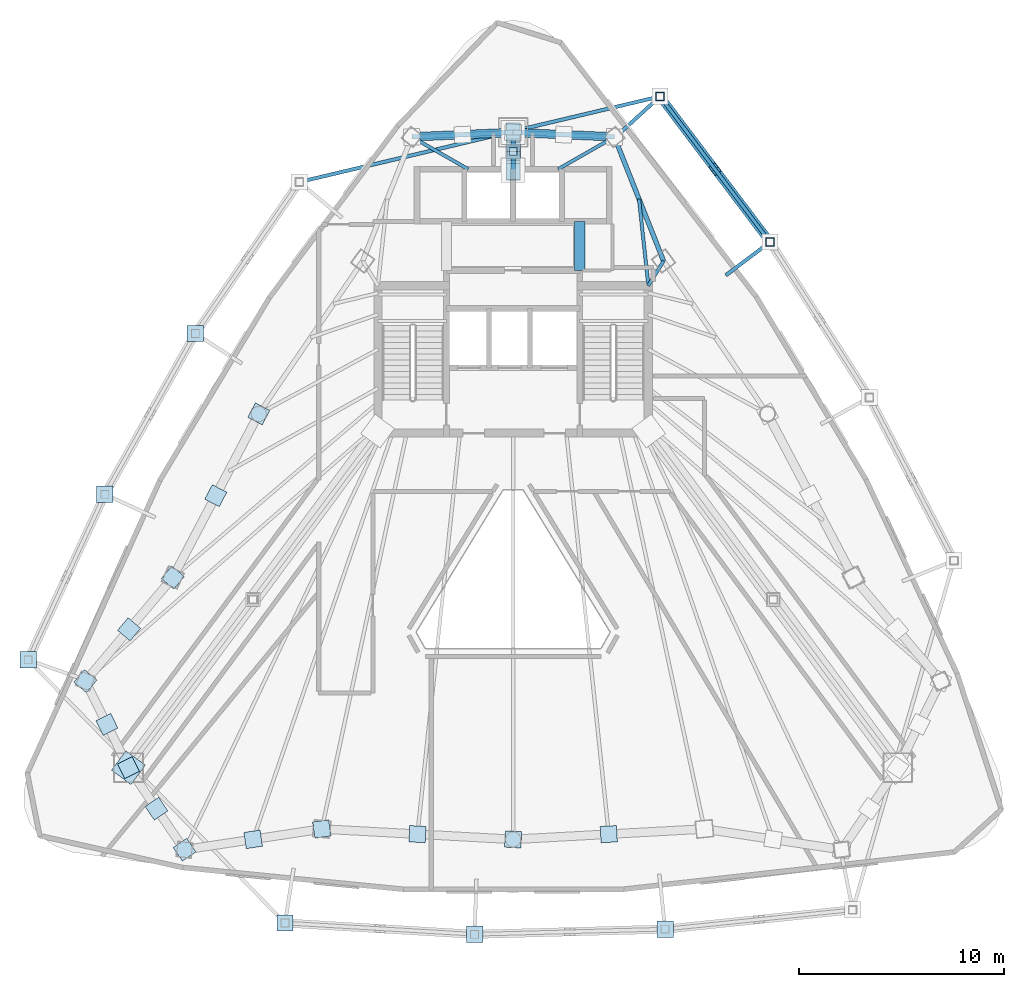
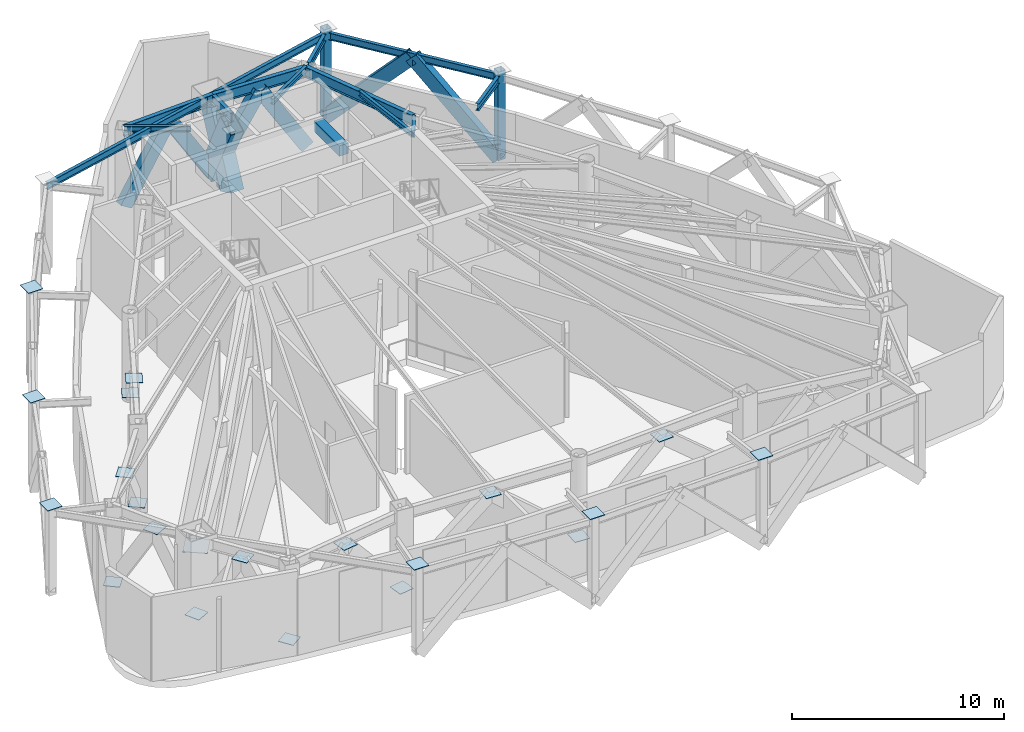
# One storey, part 4 of 10: 21 plates, 13 beams, 11 members.
"""IFC4 building model written with IfcOpenShell, lengths in metres."""

from ifc_helpers import new_model, si_unit, direction, frame, origin, origin_2d, place, context, subcontext, project, spatial, rectangle, hollow_rectangle, i_section, extrude, material, layer, layer_set, material_profile, profile_set, type_object, element, save


model = new_model("IFC4")

# Units and contexts
model_context = context("Model", 3, precision=1e-05, world=origin(), true_north=direction((0.0, 1.0)))
body_context = subcontext(model_context, "Body", "Model", "MODEL_VIEW")
ifc_project = project(units=[si_unit("LENGTHUNIT", "METRE"), si_unit("AREAUNIT", "SQUARE_METRE"), si_unit("VOLUMEUNIT", "CUBIC_METRE"), si_unit("PLANEANGLEUNIT", "RADIAN"), si_unit("MASSUNIT", "GRAM", prefix="KILO")], contexts=[model_context])

# Site, building, storey
site_placement = place(None, origin())
site = spatial("IfcSite", under=ifc_project, at=site_placement, CompositionType="ELEMENT")
building_placement = place(site_placement, origin())
building = spatial("IfcBuilding", under=site, at=building_placement, Name="Orvanel Arch Residences", CompositionType="ELEMENT")
storey_placement = place(building_placement, frame((0.0, 0.0, 191.300048828125)))
storey = spatial("IfcBuildingStorey", under=building, at=storey_placement, Name="L54", CompositionType="ELEMENT", Elevation=191.300048828125)

# Beams
ifc_material_1 = material(Name="Structural steel AS/NZS 3679.1 Grade 300 (300 MPa)", Category="steel")
ifc_material_profile_1 = material_profile(ifc_material_1, i_section(OverallWidth=0.208984375, OverallDepth=0.532958984375, WebThickness=0.01025390625, FlangeThickness=0.015625, at=origin_2d()), Name="530UB92.4")
ifc_profile_set_1 = profile_set([ifc_material_profile_1], Name="Structural steel AS/NZS 3679.1 Grade 300 (300 MPa)")
beam_type_1 = type_object("IfcBeamType", Name="BG-530UB", PredefinedType="BEAM", material=ifc_profile_set_1)
beam_1_placement = place(storey_placement, frame((33.0, 39.550048828125, 4.593017578125), z_axis=(0.0, 1.0, 0.0), x_axis=(-1.0, 0.0, 0.0)))
element("IfcBeam", 1, at=beam_1_placement, inside=storey, type_object=beam_type_1, Name="L54 North Radial Girder", PredefinedType="BEAM", context=body_context, shape_type="SweptSolid", body=[
    extrude(i_section(OverallWidth=0.208984375, OverallDepth=0.532958984375, WebThickness=0.01025390625, FlangeThickness=0.015625, at=origin_2d()), origin(), (0.0, 0.0, 1.0), 1.847900390625),
])
ifc_material_profile_2 = material_profile(ifc_material_1, i_section(OverallWidth=0.1650390625, OverallDepth=0.303955078125, WebThickness=0.006103515625, FlangeThickness=0.01025390625, at=origin_2d()), Name="310UB40.4")
ifc_profile_set_2 = profile_set([ifc_material_profile_2], Name="Structural steel AS/NZS 3679.1 Grade 300 (300 MPa)")
beam_type_2 = type_object("IfcBeamType", Name="BJ-310UB", PredefinedType="JOIST", material=ifc_profile_set_2)
beam_2_placement = place(storey_placement, frame((39.60009765625, 33.89990234375, 4.7080078125), z_axis=(0.526843290616, 0.84996243866, 0.0), x_axis=(-0.84996243866, 0.526843290616, 0.0)))
element("IfcBeam", 2, at=beam_2_placement, inside=storey, type_object=beam_type_2, Name="L54 NNE Wing Floor Joist", PredefinedType="JOIST", context=body_context, shape_type="SweptSolid", body=[
    extrude(i_section(OverallWidth=0.1650390625, OverallDepth=0.303955078125, WebThickness=0.006103515625, FlangeThickness=0.01025390625, at=origin_2d()), origin(), (0.0, 0.0, 1.0), 1.42724609375),
])
beam_3_placement = place(storey_placement, frame((39.60009765625, 34.02001953125, 4.7080078125), z_axis=(-0.108261441852, 0.99412245735, 0.0), x_axis=(-0.99412245735, -0.108261441852, 0.0)))
element("IfcBeam", 3, at=beam_3_placement, inside=storey, type_object=beam_type_2, Name="L54 NNE2 Wing Floor Joist", PredefinedType="JOIST", context=body_context, shape_type="SweptSolid", body=[
    extrude(i_section(OverallWidth=0.1650390625, OverallDepth=0.303955078125, WebThickness=0.006103515625, FlangeThickness=0.01025390625, at=origin_2d()), origin(), (0.0, 0.0, 1.0), 4.1494140625),
])
for number, where, z_axis, x_axis, name in (
    (4, (30.800048828125, 39.60009765625, 4.7080078125), (-0.86736513383, 0.497672306458, 0.0), (-0.497672306458, -0.86736513383, 0.0), "L54 MNW Wing Floor Joist"),
    (5, (35.199951171875, 39.60009765625, 4.7080078125), (0.86736513383, 0.497672306458, 0.0), (-0.497672306458, 0.86736513383, 0.0), "L54 MNE Wing Floor Joist"),
):
    element("IfcBeam", number, at=place(storey_placement, frame(where, z_axis=z_axis, x_axis=x_axis)), inside=storey, type_object=beam_type_2, Name=name, PredefinedType="JOIST", context=body_context, shape_type="SweptSolid", body=[
        extrude(i_section(OverallWidth=0.1650390625, OverallDepth=0.303955078125, WebThickness=0.006103515625, FlangeThickness=0.01025390625, at=origin_2d()), origin(), (0.0, 0.0, 1.0), 3.17041015625),
    ])

# Members
ifc_material_2 = material(Name="Structural steel AS/NZS 3678 Grade 350", Category="steel")
ifc_material_profile_3 = material_profile(ifc_material_2, hollow_rectangle(XDim=0.419921875, YDim=0.719970703125, WallThickness=0.02490234375, at=origin_2d()), Name="RHS720x420x25")
ifc_profile_set_3 = profile_set([ifc_material_profile_3], Name="Structural steel AS/NZS 3678 Grade 350")
member_type_1 = type_object("IfcMemberType", Name="BR-720RHS", PredefinedType="BRACE", material=ifc_profile_set_3)
for number, where, z_axis, x_axis, name in (
    (6, (37.949951171875, 41.177978515625, 0.300048828125), (-0.525055023259, 0.023359950231, 0.850747633129), (-0.044446513387, -0.99901176542, 0.0), "L54 Belt-Truss Chevron 14.1"),
    (7, (33.0, 41.39794921875, 0.300048828125), (0.525093172988, -0.023307548614, 0.850725524396), (0.044343790555, 0.999016330317, 0.0), "L54 Belt-Truss Chevron 14.2"),
    (8, (33.0, 41.39794921875, 0.300048828125), (-0.525093172988, -0.023307548614, 0.850725524396), (0.044343790555, -0.999016330317, 0.0), "L54 Belt-Truss Chevron 15.1"),
    (9, (28.050048828125, 41.177978515625, 0.300048828125), (0.525055023259, 0.023359950231, 0.850747633129), (-0.044446513387, 0.99901176542, 0.0), "L54 Belt-Truss Chevron 15.2"),
):
    element("IfcMember", number, at=place(storey_placement, frame(where, z_axis=z_axis, x_axis=x_axis)), inside=storey, type_object=member_type_1, Name=name, PredefinedType="BRACE", context=body_context, shape_type="SweptSolid", body=[
        extrude(hollow_rectangle(XDim=0.419921875, YDim=0.719970703125, WallThickness=0.02490234375, at=origin_2d()), origin(), (0.0, 0.0, 1.0), 4.713623046875),
    ])
ifc_material_profile_4 = material_profile(ifc_material_2, hollow_rectangle(XDim=0.419921875, YDim=0.719970703125, WallThickness=0.02490234375, at=origin_2d()), Name="RHS720x420x25")
ifc_profile_set_4 = profile_set([ifc_material_profile_4], Name="Structural steel AS/NZS 3678 Grade 350")
member_type_2 = type_object("IfcMemberType", Name="BR-720RHS-EXT", PredefinedType="BRACE", material=ifc_profile_set_4)
member_1_placement = place(storey_placement, frame((45.555908203125, 36.0400390625, 0.0), z_axis=(-0.416855955136, 0.551946059398, 0.722209568049), x_axis=(-0.797985493945, -0.602676655806, 0.0)))
element("IfcMember", 10, at=member_1_placement, inside=storey, type_object=member_type_2, Name="L54 Exterior Sky-Garden V-Frame Chevron F3B3.1", PredefinedType="BRACE", context=body_context, shape_type="SweptSolid", body=[
    extrude(hollow_rectangle(XDim=0.419921875, YDim=0.719970703125, WallThickness=0.02490234375, at=origin_2d()), origin(), (0.0, 0.0, 1.0), 6.4482421875),
])
member_2_placement = place(storey_placement, frame((40.180908203125, 43.156982421875, 0.0), z_axis=(0.416774361753, -0.551849243488, 0.722330633331), x_axis=(0.797991386611, 0.60266885343, 0.0)))
element("IfcMember", 11, at=member_2_placement, inside=storey, type_object=member_type_2, Name="L54 Exterior Sky-Garden V-Frame Chevron F3B3.2", PredefinedType="BRACE", context=body_context, shape_type="SweptSolid", body=[
    extrude(hollow_rectangle(XDim=0.419921875, YDim=0.719970703125, WallThickness=0.02490234375, at=origin_2d()), origin(), (0.0, 0.0, 1.0), 6.447265625),
])

# Beams
ifc_material_3 = material(Name="Concrete S65 (65 MPa)", Category="concrete")
ifc_material_profile_5 = material_profile(ifc_material_3, rectangle(XDim=0.5, YDim=0.60009765625, at=origin_2d()), Name="RC500x600")
ifc_profile_set_5 = profile_set([ifc_material_profile_5], Name="Concrete S65 (65 MPa)")
beam_type_3 = type_object("IfcBeamType", Name="CB-500x600", PredefinedType="LINTEL", material=ifc_profile_set_5)
beam_4_placement = place(storey_placement, frame((36.260009765625, 34.64990234375, 4.56005859375), z_axis=(0.0, 1.0, 0.0), x_axis=(-1.0, 0.0, 0.0)))
element("IfcBeam", 12, at=beam_4_placement, inside=storey, type_object=beam_type_3, Name="L54 East Core Lobby Coupling Lintel Beam", PredefinedType="LINTEL", context=body_context, shape_type="SweptSolid", body=[
    extrude(rectangle(XDim=0.5, YDim=0.60009765625, at=origin_2d()), origin(), (0.0, 0.0, 1.0), 2.400146484375),
])
ifc_material_profile_6 = material_profile(ifc_material_1, i_section(OverallWidth=0.177978515625, OverallDepth=0.406005859375, WebThickness=0.0078125, FlangeThickness=0.0126953125, at=origin_2d()), Name="410UB59.7")
ifc_profile_set_6 = profile_set([ifc_material_profile_6], Name="Structural steel AS/NZS 3679.1 Grade 300 (300 MPa)")
beam_type_4 = type_object("IfcBeamType", Name="OB-410UB-EXT", PredefinedType="SPANDREL", material=ifc_profile_set_6)
beam_5_placement = place(storey_placement, frame((43.39111328125, 34.409912109375, 4.656982421875), z_axis=(0.798841737738, 0.601541252157, 0.0), x_axis=(-0.601541252157, 0.798841737738, 0.0)))
element("IfcBeam", 13, at=beam_5_placement, inside=storey, type_object=beam_type_4, Name="L54 Outer Frame Radial Tie Beam 11", PredefinedType="SPANDREL", context=body_context, shape_type="SweptSolid", body=[
    extrude(i_section(OverallWidth=0.177978515625, OverallDepth=0.406005859375, WebThickness=0.0078125, FlangeThickness=0.0126953125, at=origin_2d()), origin(), (0.0, 0.0, 1.0), 2.7099609375),
])
beam_6_placement = place(storey_placement, frame((45.555908203125, 36.0400390625, 4.656982421875), z_axis=(-0.602672755309, 0.797988439771, 0.0), x_axis=(-0.797988439771, -0.602672755309, 0.0)))
element("IfcBeam", 14, at=beam_6_placement, inside=storey, type_object=beam_type_4, Name="L54 Outer Perimeter Floor Ring Beam 11", PredefinedType="SPANDREL", context=body_context, shape_type="SweptSolid", body=[
    extrude(i_section(OverallWidth=0.177978515625, OverallDepth=0.406005859375, WebThickness=0.0078125, FlangeThickness=0.0126953125, at=origin_2d()), origin(), (0.0, 0.0, 1.0), 8.918701171875),
])
beam_7_placement = place(storey_placement, frame((38.169921875, 41.319091796875, 4.656982421875), z_axis=(0.738161407706, 0.674624144375, 0.0), x_axis=(-0.674624144375, 0.738161407706, 0.0)))
element("IfcBeam", 15, at=beam_7_placement, inside=storey, type_object=beam_type_4, Name="L54 Outer Frame Radial Tie Beam 12", PredefinedType="SPANDREL", context=body_context, shape_type="SweptSolid", body=[
    extrude(i_section(OverallWidth=0.177978515625, OverallDepth=0.406005859375, WebThickness=0.0078125, FlangeThickness=0.0126953125, at=origin_2d()), origin(), (0.0, 0.0, 1.0), 2.724365234375),
])
beam_8_placement = place(storey_placement, frame((40.180908203125, 43.156982421875, 4.656982421875), z_axis=(-0.972965324871, -0.230951242904, 0.0), x_axis=(0.230951242904, -0.972965324871, 0.0)))
element("IfcBeam", 16, at=beam_8_placement, inside=storey, type_object=beam_type_4, Name="L54 Outer Perimeter Floor Ring Beam 12", PredefinedType="SPANDREL", context=body_context, shape_type="SweptSolid", body=[
    extrude(i_section(OverallWidth=0.177978515625, OverallDepth=0.406005859375, WebThickness=0.0078125, FlangeThickness=0.0126953125, at=origin_2d()), origin(), (0.0, 0.0, 1.0), 18.11669921875),
])

# Members
ifc_material_profile_7 = material_profile(ifc_material_2, hollow_rectangle(XDim=0.719970703125, YDim=1.10009765625, WallThickness=0.035888671875, at=origin_2d()), Name="BOX1100x720x36")
ifc_profile_set_7 = profile_set([ifc_material_profile_7], Name="Structural steel AS/NZS 3678 Grade 350")
member_type_3 = type_object("IfcMemberType", Name="OR-1100BOX", PredefinedType="BRACE", material=ifc_profile_set_7)
for number, where, z_axis, x_axis, name in (
    (17, (33.0, 39.550048828125, 0.39990234375), (0.0, 0.436388083572, 0.899758545676), (-1.0, 0.0, 0.0), "L54 Core Outrigger Brace 1-1"),
    (18, (33.0, 39.550048828125, 4.2099609375), (0.0, 0.436388083572, -0.899758545676), (-1.0, 0.0, 0.0), "L54 Core Outrigger Brace 1-2"),
):
    element("IfcMember", number, at=place(storey_placement, frame(where, z_axis=z_axis, x_axis=x_axis)), inside=storey, type_object=member_type_3, Name=name, PredefinedType="BRACE", context=body_context, shape_type="SweptSolid", body=[
        extrude(hollow_rectangle(XDim=0.719970703125, YDim=1.10009765625, WallThickness=0.035888671875, at=origin_2d()), origin(), (0.0, 0.0, 1.0), 4.234619140625),
    ])

# Beams
ifc_material_profile_8 = material_profile(ifc_material_1, i_section(OverallWidth=0.22900390625, OverallDepth=0.612060546875, WebThickness=0.011962890625, FlangeThickness=0.01953125, at=origin_2d()), Name="610UB125")
ifc_profile_set_8 = profile_set([ifc_material_profile_8], Name="Structural steel AS/NZS 3679.1 Grade 300 (300 MPa)")
beam_type_5 = type_object("IfcBeamType", Name="SP-610UB", PredefinedType="SPANDREL", material=ifc_profile_set_8)
beam_9_placement = place(storey_placement, frame((40.35205078125, 35.113037109375, 4.553955078125), z_axis=(-0.368233143579, 0.929733484376, 0.0), x_axis=(-0.929733484376, -0.368233143579, 0.0)))
element("IfcBeam", 19, at=beam_9_placement, inside=storey, type_object=beam_type_5, Name="L54 Perimeter Spandrel Beam 13", PredefinedType="SPANDREL", context=body_context, shape_type="SweptSolid", body=[
    extrude(i_section(OverallWidth=0.22900390625, OverallDepth=0.612060546875, WebThickness=0.011962890625, FlangeThickness=0.01953125, at=origin_2d()), origin(), (0.0, 0.0, 1.0), 6.523193359375),
])
for number, where, z_axis, x_axis, name in (
    (20, (37.949951171875, 41.177978515625, 4.553955078125), (-0.999014049296, 0.044395149614, 0.0), (-0.044395149614, -0.999014049296, 0.0), "L54 Perimeter Spandrel Beam 14"),
    (21, (33.0, 41.39794921875, 4.553955078125), (-0.999014049296, -0.044395149614, 0.0), (0.044395149614, -0.999014049296, 0.0), "L54 Perimeter Spandrel Beam 15"),
):
    element("IfcBeam", number, at=place(storey_placement, frame(where, z_axis=z_axis, x_axis=x_axis)), inside=storey, type_object=beam_type_5, Name=name, PredefinedType="SPANDREL", context=body_context, shape_type="SweptSolid", body=[
        extrude(i_section(OverallWidth=0.22900390625, OverallDepth=0.612060546875, WebThickness=0.011962890625, FlangeThickness=0.01953125, at=origin_2d()), origin(), (0.0, 0.0, 1.0), 4.954833984375),
    ])

# Members
ifc_material_4 = material(Name="Structural steel AS/NZS 1163 C450L0 (Grade 450)", Category="steel")
ifc_material_profile_9 = material_profile(ifc_material_4, hollow_rectangle(XDim=0.39990234375, YDim=0.39990234375, WallThickness=0.01611328125, at=origin_2d()), Name="SHS400x400x16")
ifc_profile_set_9 = profile_set([ifc_material_profile_9], Name="Structural steel AS/NZS 1163 C450L0 (Grade 450)")
member_type_4 = type_object("IfcMemberType", Name="ST-400SHS", PredefinedType="STRUT", material=ifc_profile_set_9)
member_3_placement = place(storey_placement, frame((33.0, 40.47412109375, 0.0), z_axis=(0.0, 0.0, 1.0), x_axis=(1.0, 0.0, 0.0)))
element("IfcMember", 22, at=member_3_placement, inside=storey, type_object=member_type_4, Name="L54 Outrigger Vertical Web Strut 1", PredefinedType="STRUT", context=body_context, shape_type="SweptSolid", body=[
    extrude(hollow_rectangle(XDim=0.39990234375, YDim=0.39990234375, WallThickness=0.01611328125, at=origin_2d()), origin(), (0.0, 0.0, 1.0), 4.35986328125),
])
ifc_material_profile_10 = material_profile(ifc_material_4, hollow_rectangle(XDim=0.39990234375, YDim=0.39990234375, WallThickness=0.01611328125, at=origin_2d()), Name="SHS400x400x16")
ifc_profile_set_10 = profile_set([ifc_material_profile_10], Name="Structural steel AS/NZS 1163 C450L0 (Grade 450)")
member_type_5 = type_object("IfcMemberType", Name="ST-400SHS-EXT", PredefinedType="STRUT", material=ifc_profile_set_10)
for number, where, z_axis, x_axis, name in (
    (23, (45.555908203125, 36.0400390625, 0.0), (0.0, 0.0, 1.0), (1.0, 0.0, 0.0), "L54 Outer Perimeter Frame Post 11"),
    (24, (40.180908203125, 43.156982421875, 0.0), (0.0, 0.0, 1.0), (1.0, 0.0, 0.0), "L54 Outer Perimeter Frame Post 12"),
):
    element("IfcMember", number, at=place(storey_placement, frame(where, z_axis=z_axis, x_axis=x_axis)), inside=storey, type_object=member_type_5, Name=name, PredefinedType="STRUT", context=body_context, shape_type="SweptSolid", body=[
        extrude(hollow_rectangle(XDim=0.39990234375, YDim=0.39990234375, WallThickness=0.01611328125, at=origin_2d()), origin(), (0.0, 0.0, 1.0), 5.099853515625),
    ])

# Plates
ifc_layer_1 = layer(ifc_material_2, 0.028076171875)
ifc_layer_set_1 = layer_set([ifc_layer_1], Name="Structural steel AS/NZS 3678 Grade 350")
plate_type_1 = type_object("IfcPlateType", Name="PL-CAP-28", PredefinedType="SHEET", material=ifc_layer_set_1)
for number, where, z_axis, x_axis, name in (
    (25, (16.366943359375, 19.64208984375, 0.2861328125), (0.0, 0.0, 1.0), (0.645457687724, 0.763796028635, 0.0), "L54 hollow member end cap plate"),
    (26, (14.23095703125, 17.111083984375, 4.2958984375), (0.0, 0.0, 1.0), (0.645457687724, 0.763796028635, 0.0), "L54 hollow member end cap plate"),
    (27, (12.094970703125, 14.580078125, 0.2861328125), (0.0, 0.0, 1.0), (0.645457687724, 0.763796028635, 0.0), "L54 hollow member end cap plate"),
    (28, (13.14697265625, 12.466064453125, 4.2958984375), (0.0, 0.0, 1.0), (-0.44619781311, 0.894934361602, 0.0), "L54 hollow member end cap plate"),
    (29, (14.198974609375, 10.35107421875, 0.2861328125), (0.0, 0.0, 1.0), (-0.444635179185, 0.895711760239, 0.0), "L54 hollow member end cap plate"),
    (30, (15.570068359375, 8.344970703125, 4.2958984375), (0.0, 0.0, 1.0), (-0.564967003425, 0.825113498278, 0.0), "L54 hollow member end cap plate"),
    (31, (16.94091796875, 6.339111328125, 0.2861328125), (0.0, 0.0, 1.0), (-0.564967003425, 0.825113498278, 0.0), "L54 hollow member end cap plate"),
    (32, (20.294921875, 6.846923828125, 4.2958984375), (0.0, 0.0, 1.0), (0.988756381047, 0.149535343444, 0.0), "L54 hollow member end cap plate"),
    (33, (23.64892578125, 7.35498046875, 0.2861328125), (0.0, 0.0, 1.0), (0.988756381047, 0.149535343444, 0.0), "L54 hollow member end cap plate"),
    (34, (28.324951171875, 7.10009765625, 4.2958984375), (0.0, 0.0, 1.0), (-0.998536670326, 0.054078812985, 0.0), "L54 hollow member end cap plate"),
    (35, (33.0, 6.843994140625, 0.2861328125), (0.0, 0.0, 1.0), (-0.998536670326, 0.054078812985, 0.0), "L54 hollow member end cap plate"),
    (36, (37.675048828125, 7.10009765625, 4.2958984375), (0.0, 0.0, 1.0), (0.998536670326, 0.054078812985, 0.0), "L54 hollow member end cap plate"),
    (37, (20.569091796875, 27.64111328125, 0.2861328125), (0.0, 0.0, 1.0), (0.464842045725, 0.885393625754, 0.0), "L54 hollow member end cap plate"),
    (38, (18.468017578125, 23.64208984375, 4.2958984375), (0.0, 0.0, 1.0), (0.464842045725, 0.885393625754, 0.0), "L54 hollow member end cap plate"),
):
    element("IfcPlate", number, at=place(storey_placement, frame(where, z_axis=z_axis, x_axis=x_axis)), inside=storey, type_object=plate_type_1, Name=name, PredefinedType="SHEET", context=body_context, shape_type="SweptSolid", body=[
        extrude(rectangle(XDim=0.800048828125, YDim=0.800048828125, at=origin_2d()), origin(), (0.0, 0.0, 1.0), 0.028076171875),
    ])
plate_placement = place(storey_placement, frame((14.198974609375, 10.35107421875, 4.19580078125), z_axis=(0.0, 0.0, 1.0), x_axis=(0.594822786751, 0.803856860617, 0.0)))
element("IfcPlate", 39, at=plate_placement, inside=storey, type_object=plate_type_1, Name="L54 hollow member end cap plate", PredefinedType="SHEET", context=body_context, shape_type="SweptSolid", body=[
    extrude(rectangle(XDim=1.179931640625, YDim=1.179931640625, at=origin_2d()), origin(), (0.0, 0.0, 1.0), 0.028076171875),
])
ifc_layer_2 = layer(ifc_material_2, 0.031982421875)
ifc_layer_set_2 = layer_set([ifc_layer_2], Name="Structural steel AS/NZS 3678 Grade 350")
plate_type_2 = type_object("IfcPlateType", Name="PL-CAP-32", PredefinedType="SHEET", material=ifc_layer_set_2)
for number, where, z_axis, x_axis, name in (
    (40, (17.467041015625, 31.569091796875, 5.083984375), (0.0, 0.0, 1.0), (1.0, 0.0, 0.0), "L54 hollow member end cap plate"),
    (41, (13.047119140625, 23.7099609375, 5.083984375), (0.0, 0.0, 1.0), (1.0, 0.0, 0.0), "L54 hollow member end cap plate"),
    (42, (9.299072265625, 15.616943359375, 5.083984375), (0.0, 0.0, 1.0), (1.0, 0.0, 0.0), "L54 hollow member end cap plate"),
    (43, (21.85107421875, 2.758056640625, 5.083984375), (0.0, 0.0, 1.0), (1.0, 0.0, 0.0), "L54 hollow member end cap plate"),
    (44, (31.115966796875, 2.205078125, 5.083984375), (0.0, 0.0, 1.0), (1.0, 0.0, 0.0), "L54 hollow member end cap plate"),
    (45, (40.427001953125, 2.45703125, 5.083984375), (0.0, 0.0, 1.0), (1.0, 0.0, 0.0), "L54 hollow member end cap plate"),
):
    element("IfcPlate", number, at=place(storey_placement, frame(where, z_axis=z_axis, x_axis=x_axis)), inside=storey, type_object=plate_type_2, Name=name, PredefinedType="SHEET", context=body_context, shape_type="SweptSolid", body=[
        extrude(rectangle(XDim=0.800048828125, YDim=0.800048828125, at=origin_2d()), origin(), (0.0, 0.0, 1.0), 0.031982421875),
    ])

save(model, "model.ifc")
